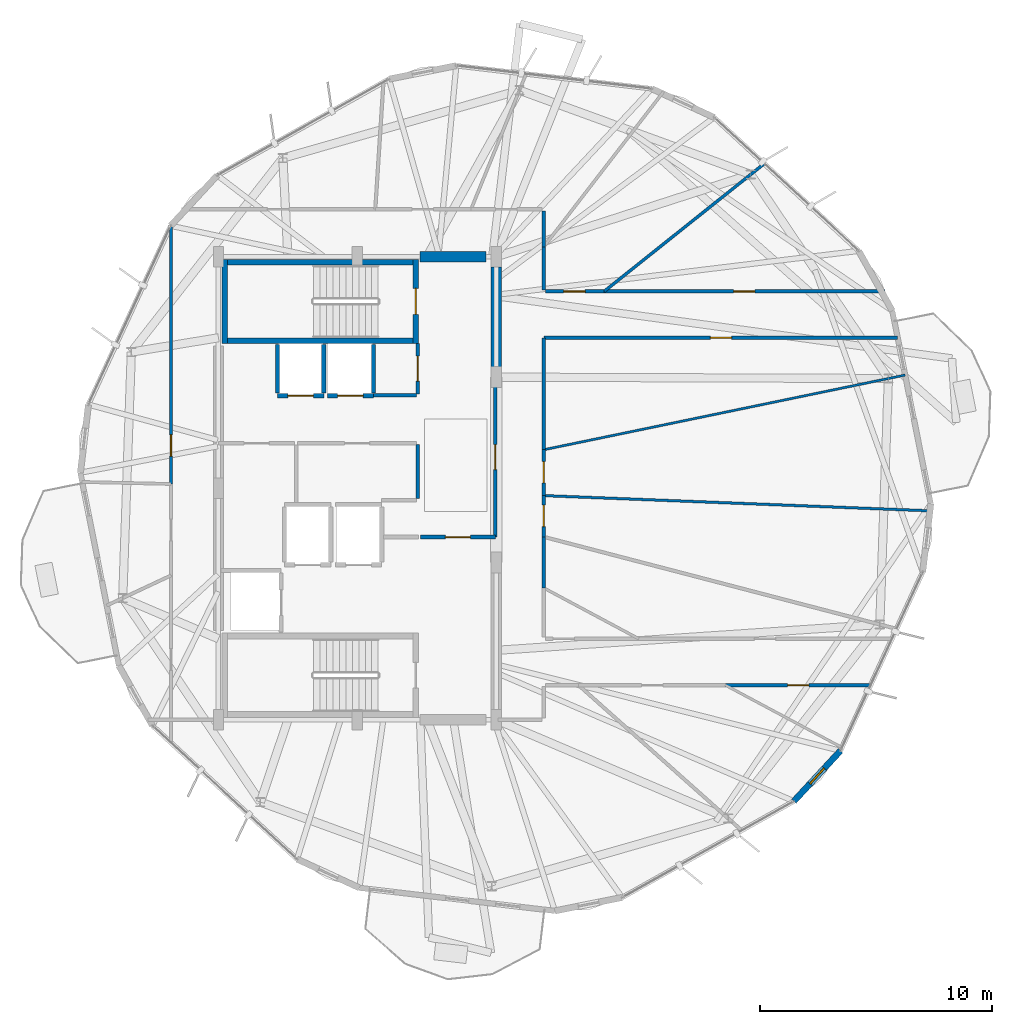
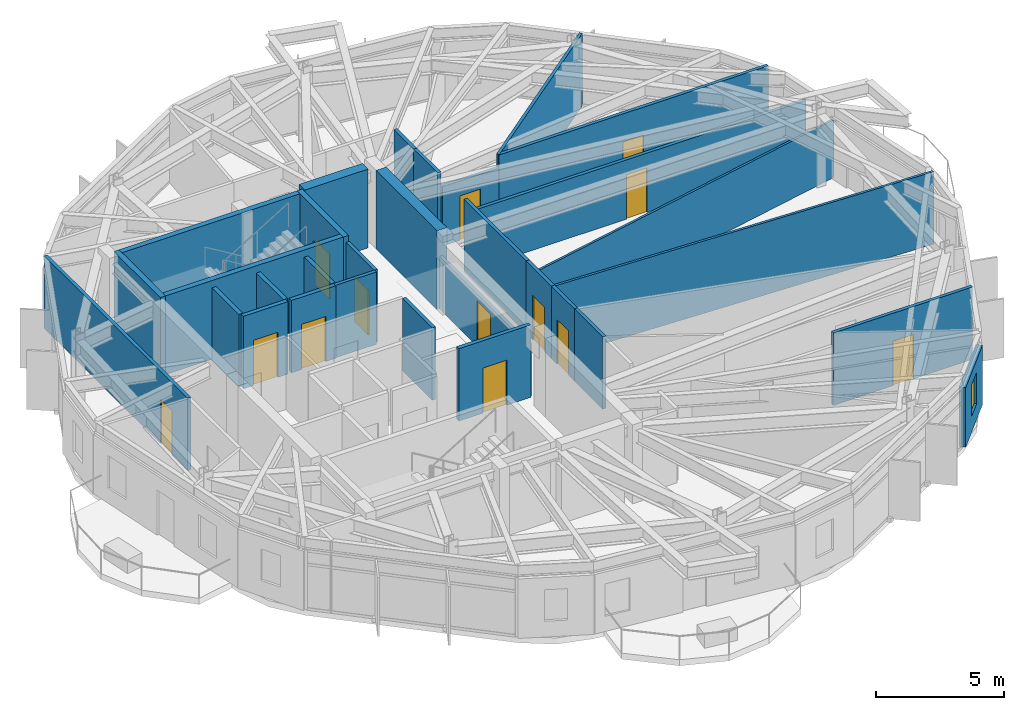
# One storey, part 21 of 25: 31 walls, 13 doors, 1 window, 14 openings.
"""IFC4 building model written with IfcOpenShell, lengths in metres."""

from ifc_helpers import new_model, si_unit, direction, frame, frame_2d, origin, place, context, subcontext, project, spatial, rectangle, extrude, material, layer, layer_set, type_object, element, fill, save


model = new_model("IFC4")

# Units and contexts
model_context = context("Model", 3, precision=1e-05, world=origin(), true_north=direction((0.0, 1.0)))
body_context = subcontext(model_context, "Body", "Model", "MODEL_VIEW")
ifc_project = project(units=[si_unit("LENGTHUNIT", "METRE"), si_unit("AREAUNIT", "SQUARE_METRE"), si_unit("VOLUMEUNIT", "CUBIC_METRE"), si_unit("PLANEANGLEUNIT", "RADIAN"), si_unit("MASSUNIT", "GRAM", prefix="KILO")], contexts=[model_context])

# Site, building, storey
site_placement = place(None, origin())
site = spatial("IfcSite", under=ifc_project, at=site_placement, CompositionType="ELEMENT")
building_placement = place(site_placement, origin())
building = spatial("IfcBuilding", under=site, at=building_placement, Name="Soratama Intermodal Tower", CompositionType="ELEMENT")
storey_placement = place(building_placement, frame((0.0, 0.0, 272.5)))
storey = spatial("IfcBuildingStorey", under=building, at=storey_placement, Name="L69", CompositionType="ELEMENT", Elevation=272.5)

# Wall, opening, window
ifc_material_1 = material(Name="Concrete f'c 42 MPa", Category="concrete")
ifc_layer_1 = layer(ifc_material_1, 0.27001953125)
ifc_layer_set_1 = layer_set([ifc_layer_1], Name="Concrete f'c 42 MPa")
wall_type_1 = type_object("IfcWallType", Name="EW-CRN-270", PredefinedType="SOLIDWALL", material=ifc_layer_set_1)
wall_1_placement = place(storey_placement, frame((57.45166015625, 11.48291015625, 0.0), z_axis=(0.0, 0.0, 1.0), x_axis=(0.678358713044, 0.734730873475, 0.0)))
wall_1 = element("IfcWall", 1, at=wall_1_placement, inside=storey, type_object=wall_type_1, Name="L69 Corner Closure Wall 07", PredefinedType="SOLIDWALL", context=body_context, shape_type="SweptSolid", body=[
    extrude(rectangle(XDim=2.966552734375, YDim=0.27001953125, at=frame_2d((1.4833984375, 0.0))), origin(), (0.0, 0.0, 1.0), 2.8291015625),
])
opening_1_placement = place(wall_1_placement, frame((1.033203125, 0.0, 0.75)))
opening_1 = element("IfcOpeningElement", 2, at=opening_1_placement, cuts=wall_1, Name="Opening WN-6", PredefinedType="OPENING", context=body_context, shape_type="SweptSolid", body=[
    extrude(rectangle(XDim=0.89990234375, YDim=1.5, at=frame_2d((0.449951171875, 0.75))), frame((0.0, 0.14501953125, 0.0), z_axis=(0.0, -1.0, 0.0), x_axis=(1.0, 0.0, 0.0)), (0.0, 0.0, 1.0), 0.2900390625),
])
ifc_material_2 = material(Name="Double-glazed aluminium window", Category="aluminium")
window_type = type_object("IfcWindowType", Name="WN-FAC-900", PartitioningType="SINGLE_PANEL", PredefinedType="WINDOW", material=ifc_material_2)
window_placement = place(opening_1_placement, origin())
window = element("IfcWindow", 3, at=window_placement, inside=storey, type_object=window_type, Name="L69 Corner Window 07", OverallHeight=1.5, OverallWidth=0.89990234375, PartitioningType="SINGLE_PANEL", PredefinedType="WINDOW", context=body_context, shape_type="SweptSolid", body=[
    extrude(rectangle(XDim=0.89990234375, YDim=1.5, at=frame_2d((0.449951171875, 0.75))), frame((0.0, 0.030029296875, 0.0), z_axis=(0.0, -1.0, 0.0), x_axis=(1.0, 0.0, 0.0)), (0.0, 0.0, 1.0), 0.06005859375),
])
fill(opening_1, window)

# Wall, opening, door
ifc_material_3 = material(Name="Fire-rated gypsum stud partition", Category="concrete")
ifc_layer_2 = layer(ifc_material_3, 0.14990234375)
ifc_layer_set_2 = layer_set([ifc_layer_2], Name="Fire-rated gypsum stud partition")
wall_type_2 = type_object("IfcWallType", Name="IW-PART-R150", PredefinedType="PARTITIONING", material=ifc_layer_set_2)
wall_2_placement = place(storey_placement, frame((61.93603515625, 31.5, 0.0), z_axis=(0.0, 0.0, 1.0), x_axis=(-1.0, 0.0, 0.0)))
wall_2 = element("IfcWall", 4, at=wall_2_placement, inside=storey, type_object=wall_type_2, Name="L69 Partition W-L69-TP004", PredefinedType="PARTITIONING", context=body_context, shape_type="SweptSolid", body=[
    extrude(rectangle(XDim=15.2861328125, YDim=0.14990234375, at=frame_2d((7.64306640625, 0.0))), origin(), (0.0, 0.0, 1.0), 2.823974609375),
])
opening_2_placement = place(wall_2_placement, frame((7.16796875, 0.0, 0.0)))
opening_2 = element("IfcOpeningElement", 5, at=opening_2_placement, cuts=wall_2, Name="Opening ID-6", PredefinedType="OPENING", context=body_context, shape_type="SweptSolid", body=[
    extrude(rectangle(XDim=0.919921875, YDim=2.1201171875, at=frame_2d((0.4599609375, 1.06005859375))), frame((0.0, 0.0849609375, 0.0), z_axis=(0.0, -1.0, 0.0), x_axis=(1.0, 0.0, 0.0)), (0.0, 0.0, 1.0), 0.169921875),
])
ifc_material_4 = material(Name="Solid hardwood acoustic door", Category="wood")
door_type_1 = type_object("IfcDoorType", Name="DR-ROOM-920", OperationType="NOTDEFINED", PredefinedType="DOOR", material=ifc_material_4)
door_1_placement = place(opening_2_placement, origin())
door_1 = element("IfcDoor", 6, at=door_1_placement, inside=storey, type_object=door_type_1, Name="L69 Door D-L69-TP001", OperationType="SINGLE_SWING_RIGHT", OverallHeight=2.1201171875, OverallWidth=0.919921875, PredefinedType="DOOR", context=body_context, shape_type="SweptSolid", body=[
    extrude(rectangle(XDim=0.919921875, YDim=2.1201171875, at=frame_2d((0.4599609375, 1.06005859375))), frame((0.0, 0.02490234375, 0.0), z_axis=(0.0, -1.0, 0.0), x_axis=(1.0, 0.0, 0.0)), (0.0, 0.0, 1.0), 0.050048828125),
])
fill(opening_2, door_1)

wall_3_placement = place(storey_placement, frame((49.25390625, 33.5, 0.0), z_axis=(0.0, 0.0, 1.0), x_axis=(1.0, 0.0, 0.0)))
wall_3 = element("IfcWall", 7, at=wall_3_placement, inside=storey, type_object=wall_type_2, Name="L69 Partition W-L69-TP005", PredefinedType="PARTITIONING", context=body_context, shape_type="SweptSolid", body=[
    extrude(rectangle(XDim=12.14111328125, YDim=0.14990234375, at=frame_2d((6.070556640625, 0.0))), origin(), (0.0, 0.0, 1.0), 3.449951171875),
])
opening_3_placement = place(wall_3_placement, frame((5.595947265625, 0.0, 0.0)))
opening_3 = element("IfcOpeningElement", 8, at=opening_3_placement, cuts=wall_3, Name="Opening ID-6", PredefinedType="OPENING", context=body_context, shape_type="SweptSolid", body=[
    extrude(rectangle(XDim=0.919921875, YDim=2.1201171875, at=frame_2d((0.4599609375, 1.06005859375))), frame((0.0, 0.0849609375, 0.0), z_axis=(0.0, -1.0, 0.0), x_axis=(1.0, 0.0, 0.0)), (0.0, 0.0, 1.0), 0.169921875),
])
door_2_placement = place(opening_3_placement, origin())
door_2 = element("IfcDoor", 9, at=door_2_placement, inside=storey, type_object=door_type_1, Name="L69 Door D-L69-TP002", OperationType="SINGLE_SWING_LEFT", OverallHeight=2.1201171875, OverallWidth=0.919921875, PredefinedType="DOOR", context=body_context, shape_type="SweptSolid", body=[
    extrude(rectangle(XDim=0.919921875, YDim=2.1201171875, at=frame_2d((0.4599609375, 1.06005859375))), frame((0.0, 0.02490234375, 0.0), z_axis=(0.0, -1.0, 0.0), x_axis=(1.0, 0.0, 0.0)), (0.0, 0.0, 1.0), 0.050048828125),
])
fill(opening_3, door_2)

wall_4_placement = place(storey_placement, frame((30.550048828125, 25.18505859375, 0.0), z_axis=(0.0, 0.0, 1.0), x_axis=(0.0, 1.0, 0.0)))
wall_4 = element("IfcWall", 10, at=wall_4_placement, inside=storey, type_object=wall_type_2, Name="L69 Partition W-L69-TP006", PredefinedType="PARTITIONING", context=body_context, shape_type="SweptSolid", body=[
    extrude(rectangle(XDim=11.173828125, YDim=0.14990234375, at=frame_2d((5.5869140625, 0.0))), origin(), (0.0, 0.0, 1.0), 3.449951171875),
])
opening_4_placement = place(wall_4_placement, frame((1.200927734375, 0.0, 0.0)))
opening_4 = element("IfcOpeningElement", 11, at=opening_4_placement, cuts=wall_4, Name="Opening ID-6", PredefinedType="OPENING", context=body_context, shape_type="SweptSolid", body=[
    extrude(rectangle(XDim=0.919921875, YDim=2.1201171875, at=frame_2d((0.4599609375, 1.06005859375))), frame((0.0, 0.0849609375, 0.0), z_axis=(0.0, -1.0, 0.0), x_axis=(1.0, 0.0, 0.0)), (0.0, 0.0, 1.0), 0.169921875),
])
door_3_placement = place(opening_4_placement, origin())
door_3 = element("IfcDoor", 12, at=door_3_placement, inside=storey, type_object=door_type_1, Name="L69 Door D-L69-TP003", OperationType="SINGLE_SWING_RIGHT", OverallHeight=2.1201171875, OverallWidth=0.919921875, PredefinedType="DOOR", context=body_context, shape_type="SweptSolid", body=[
    extrude(rectangle(XDim=0.919921875, YDim=2.1201171875, at=frame_2d((0.4599609375, 1.06005859375))), frame((0.0, 0.02490234375, 0.0), z_axis=(0.0, -1.0, 0.0), x_axis=(1.0, 0.0, 0.0)), (0.0, 0.0, 1.0), 0.050048828125),
])
fill(opening_4, door_3)

wall_5_placement = place(storey_placement, frame((44.56005859375, 29.800048828125, 0.0), z_axis=(0.0, 0.0, 1.0), x_axis=(0.0, -1.0, 0.0)))
wall_5 = element("IfcWall", 13, at=wall_5_placement, inside=storey, type_object=wall_type_2, Name="L69 Partition W-L69-TP013", PredefinedType="PARTITIONING", context=body_context, shape_type="SweptSolid", body=[
    extrude(rectangle(XDim=6.91015625, YDim=0.14990234375, at=frame_2d((3.455078125, 0.0))), origin(), (0.0, 0.0, 1.0), 2.489990234375),
])
opening_5_placement = place(wall_5_placement, frame((2.9150390625, 0.0, 0.0)))
opening_5 = element("IfcOpeningElement", 14, at=opening_5_placement, cuts=wall_5, Name="Opening ID-1", PredefinedType="OPENING", context=body_context, shape_type="SweptSolid", body=[
    extrude(rectangle(XDim=1.080078125, YDim=2.14990234375, at=frame_2d((0.5400390625, 1.074951171875))), frame((0.0, 0.0849609375, 0.0), z_axis=(0.0, -1.0, 0.0), x_axis=(1.0, 0.0, 0.0)), (0.0, 0.0, 1.0), 0.169921875),
])
ifc_material_5 = material(Name="Solid hardwood acoustic door", Category="wood")
door_type_2 = type_object("IfcDoorType", Name="DR-LOB-FD60", OperationType="NOTDEFINED", PredefinedType="DOOR", material=ifc_material_5)
door_4_placement = place(opening_5_placement, origin())
door_4 = element("IfcDoor", 15, at=door_4_placement, inside=storey, type_object=door_type_2, Name="L69 Door D-L69-TP007", OperationType="SINGLE_SWING_RIGHT", OverallHeight=2.14990234375, OverallWidth=1.080078125, PredefinedType="DOOR", context=body_context, shape_type="SweptSolid", body=[
    extrude(rectangle(XDim=1.080078125, YDim=2.14990234375, at=frame_2d((0.5400390625, 1.074951171875))), frame((0.0, 0.02490234375, 0.0), z_axis=(0.0, -1.0, 0.0), x_axis=(1.0, 0.0, 0.0)), (0.0, 0.0, 1.0), 0.050048828125),
])
fill(opening_5, door_4)

wall_6_placement = place(storey_placement, frame((60.77001953125, 16.5, 0.0), z_axis=(0.0, 0.0, 1.0), x_axis=(-1.0, 0.0, 0.0)))
wall_6 = element("IfcWall", 16, at=wall_6_placement, inside=storey, type_object=wall_type_2, Name="L69 Partition W-L69-TP016", PredefinedType="PARTITIONING", context=body_context, shape_type="SweptSolid", body=[
    extrude(rectangle(XDim=6.281005859375, YDim=0.14990234375, at=frame_2d((3.140625, 0.0))), origin(), (0.0, 0.0, 1.0), 3.449951171875),
])
opening_6_placement = place(wall_6_placement, frame((2.666015625, 0.0, 0.0)))
opening_6 = element("IfcOpeningElement", 17, at=opening_6_placement, cuts=wall_6, Name="Opening ID-6", PredefinedType="OPENING", context=body_context, shape_type="SweptSolid", body=[
    extrude(rectangle(XDim=0.919921875, YDim=2.1201171875, at=frame_2d((0.4599609375, 1.06005859375))), frame((0.0, 0.0849609375, 0.0), z_axis=(0.0, -1.0, 0.0), x_axis=(1.0, 0.0, 0.0)), (0.0, 0.0, 1.0), 0.169921875),
])
door_5_placement = place(opening_6_placement, origin())
door_5 = element("IfcDoor", 18, at=door_5_placement, inside=storey, type_object=door_type_1, Name="L69 Door D-L69-TP009", OperationType="SINGLE_SWING_RIGHT", OverallHeight=2.1201171875, OverallWidth=0.919921875, PredefinedType="DOOR", context=body_context, shape_type="SweptSolid", body=[
    extrude(rectangle(XDim=0.919921875, YDim=2.1201171875, at=frame_2d((0.4599609375, 1.06005859375))), frame((0.0, 0.02490234375, 0.0), z_axis=(0.0, -1.0, 0.0), x_axis=(1.0, 0.0, 0.0)), (0.0, 0.0, 1.0), 0.050048828125),
])
fill(opening_6, door_5)

# Wall
wall_7_placement = place(storey_placement, frame((46.64990234375, 31.5, 0.0), z_axis=(0.0, 0.0, 1.0), x_axis=(0.0, -1.0, 0.0)))
element("IfcWall", 19, at=wall_7_placement, inside=storey, type_object=wall_type_2, Name="L69 Partition W-L69-TP020", PredefinedType="PARTITIONING", context=body_context, shape_type="SweptSolid", body=[
    extrude(rectangle(XDim=4.8359375, YDim=0.14990234375, at=frame_2d((2.41796875, 0.0))), origin(), (0.0, 0.0, 1.0), 3.449951171875),
])

# Wall, opening, door
wall_8_placement = place(storey_placement, frame((46.719970703125, 33.5, 0.0), z_axis=(0.0, 0.0, 1.0), x_axis=(1.0, 0.0, 0.0)))
wall_8 = element("IfcWall", 20, at=wall_8_placement, inside=storey, type_object=wall_type_2, Name="L69 Partition W-L69-TP032", PredefinedType="PARTITIONING", context=body_context, shape_type="SweptSolid", body=[
    extrude(rectangle(XDim=2.533935546875, YDim=0.14990234375, at=frame_2d((1.26708984375, 0.0))), origin(), (0.0, 0.0, 1.0), 2.827880859375),
])
opening_7_placement = place(wall_8_placement, frame((0.7919921875, 0.0, 0.0)))
opening_7 = element("IfcOpeningElement", 21, at=opening_7_placement, cuts=wall_8, Name="Opening ID-6", PredefinedType="OPENING", context=body_context, shape_type="SweptSolid", body=[
    extrude(rectangle(XDim=0.919921875, YDim=2.1201171875, at=frame_2d((0.4599609375, 1.06005859375))), frame((0.0, 0.0849609375, 0.0), z_axis=(0.0, -1.0, 0.0), x_axis=(1.0, 0.0, 0.0)), (0.0, 0.0, 1.0), 0.169921875),
])
door_6_placement = place(opening_7_placement, origin())
door_6 = element("IfcDoor", 22, at=door_6_placement, inside=storey, type_object=door_type_1, Name="L69 Door D-L69-TP017", OperationType="SINGLE_SWING_RIGHT", OverallHeight=2.1201171875, OverallWidth=0.919921875, PredefinedType="DOOR", context=body_context, shape_type="SweptSolid", body=[
    extrude(rectangle(XDim=0.919921875, YDim=2.1201171875, at=frame_2d((0.4599609375, 1.06005859375))), frame((0.0, 0.02490234375, 0.0), z_axis=(0.0, -1.0, 0.0), x_axis=(1.0, 0.0, 0.0)), (0.0, 0.0, 1.0), 0.050048828125),
])
fill(opening_7, door_6)

# Walls
wall_9_placement = place(storey_placement, frame((41.199951171875, 24.550048828125, 0.0), z_axis=(0.0, 0.0, 1.0), x_axis=(0.0, 1.0, 0.0)))
element("IfcWall", 23, at=wall_9_placement, inside=storey, type_object=wall_type_2, Name="L69 Partition W-L69-TP033", PredefinedType="PARTITIONING", context=body_context, shape_type="SweptSolid", body=[
    extrude(rectangle(XDim=2.329833984375, YDim=0.14990234375, at=frame_2d((1.1650390625, 0.0))), origin(), (0.0, 0.0, 1.0), 3.449951171875),
])
wall_10_placement = place(storey_placement, frame((46.64990234375, 22.90087890625, 0.0), z_axis=(0.0, 0.0, 1.0), x_axis=(0.0, -1.0, 0.0)))
element("IfcWall", 24, at=wall_10_placement, inside=storey, type_object=wall_type_2, Name="L69 Partition W-L69-TP034", PredefinedType="PARTITIONING", context=body_context, shape_type="SweptSolid", body=[
    extrude(rectangle(XDim=2.206787109375, YDim=0.14990234375, at=frame_2d((1.103515625, 0.0))), origin(), (0.0, 0.0, 1.0), 3.449951171875),
])

# Wall, opening, door
wall_11_placement = place(storey_placement, frame((41.199951171875, 29.070068359375, 0.0), z_axis=(0.0, 0.0, 1.0), x_axis=(0.0, 1.0, 0.0)))
wall_11 = element("IfcWall", 25, at=wall_11_placement, inside=storey, type_object=wall_type_2, Name="L69 Partition W-L69-TP035", PredefinedType="PARTITIONING", context=body_context, shape_type="SweptSolid", body=[
    extrude(rectangle(XDim=2.18994140625, YDim=0.14990234375, at=frame_2d((1.094970703125, 0.0))), origin(), (0.0, 0.0, 1.0), 3.449951171875),
])
opening_8_placement = place(wall_11_placement, frame((0.554931640625, 0.0, 0.0)))
opening_8 = element("IfcOpeningElement", 26, at=opening_8_placement, cuts=wall_11, Name="Opening ID-1", PredefinedType="OPENING", context=body_context, shape_type="SweptSolid", body=[
    extrude(rectangle(XDim=1.080078125, YDim=2.14990234375, at=frame_2d((0.5400390625, 1.074951171875))), frame((0.0, 0.0849609375, 0.0), z_axis=(0.0, -1.0, 0.0), x_axis=(1.0, 0.0, 0.0)), (0.0, 0.0, 1.0), 0.169921875),
])
door_7_placement = place(opening_8_placement, origin())
door_7 = element("IfcDoor", 27, at=door_7_placement, inside=storey, type_object=door_type_2, Name="L69 Door D-L69-TP018", OperationType="SINGLE_SWING_LEFT", OverallHeight=2.14990234375, OverallWidth=1.080078125, PredefinedType="DOOR", context=body_context, shape_type="SweptSolid", body=[
    extrude(rectangle(XDim=1.080078125, YDim=2.14990234375, at=frame_2d((0.5400390625, 1.074951171875))), frame((0.0, 0.02490234375, 0.0), z_axis=(0.0, -1.0, 0.0), x_axis=(1.0, 0.0, 0.0)), (0.0, 0.0, 1.0), 0.050048828125),
])
fill(opening_8, door_7)

wall_12_placement = place(storey_placement, frame((46.64990234375, 26.6640625, 0.0), z_axis=(0.0, 0.0, 1.0), x_axis=(0.0, -1.0, 0.0)))
wall_12 = element("IfcWall", 28, at=wall_12_placement, inside=storey, type_object=wall_type_2, Name="L69 Partition W-L69-TP037", PredefinedType="PARTITIONING", context=body_context, shape_type="SweptSolid", body=[
    extrude(rectangle(XDim=1.98095703125, YDim=0.14990234375, at=frame_2d((0.990478515625, 0.0))), origin(), (0.0, 0.0, 1.0), 3.449951171875),
])
opening_9_placement = place(wall_12_placement, frame((0.51611328125, 0.0, 0.0)))
opening_9 = element("IfcOpeningElement", 29, at=opening_9_placement, cuts=wall_12, Name="Opening ID-6", PredefinedType="OPENING", context=body_context, shape_type="SweptSolid", body=[
    extrude(rectangle(XDim=0.919921875, YDim=2.1201171875, at=frame_2d((0.4599609375, 1.06005859375))), frame((0.0, 0.0849609375, 0.0), z_axis=(0.0, -1.0, 0.0), x_axis=(1.0, 0.0, 0.0)), (0.0, 0.0, 1.0), 0.169921875),
])
door_8_placement = place(opening_9_placement, origin())
door_8 = element("IfcDoor", 30, at=door_8_placement, inside=storey, type_object=door_type_1, Name="L69 Door D-L69-TP019", OperationType="SINGLE_SWING_RIGHT", OverallHeight=2.1201171875, OverallWidth=0.919921875, PredefinedType="DOOR", context=body_context, shape_type="SweptSolid", body=[
    extrude(rectangle(XDim=0.919921875, YDim=2.1201171875, at=frame_2d((0.4599609375, 1.06005859375))), frame((0.0, 0.02490234375, 0.0), z_axis=(0.0, -1.0, 0.0), x_axis=(1.0, 0.0, 0.0)), (0.0, 0.0, 1.0), 0.050048828125),
])
fill(opening_9, door_8)

# Walls
wall_13_placement = place(storey_placement, frame((39.300048828125, 29.010009765625, 0.0), z_axis=(0.0, 0.0, 1.0), x_axis=(1.0, 0.0, 0.0)))
element("IfcWall", 31, at=wall_13_placement, inside=storey, type_object=wall_type_2, Name="L69 Partition W-L69-TP039", PredefinedType="PARTITIONING", context=body_context, shape_type="SweptSolid", body=[
    extrude(rectangle(XDim=1.85986328125, YDim=0.14990234375, at=frame_2d((0.929931640625, 0.0))), origin(), (0.0, 0.0, 1.0), 3.449951171875),
])
wall_14_placement = place(storey_placement, frame((46.64990234375, 35.428955078125, 0.0), z_axis=(0.0, 0.0, 1.0), x_axis=(0.0, -1.0, 0.0)))
element("IfcWall", 32, at=wall_14_placement, inside=storey, type_object=wall_type_2, Name="L69 Partition W-L69-TP040", PredefinedType="PARTITIONING", context=body_context, shape_type="SweptSolid", body=[
    extrude(rectangle(XDim=1.85888671875, YDim=0.14990234375, at=frame_2d((0.929443359375, 0.0))), origin(), (0.0, 0.0, 1.0), 3.449951171875),
])

# Wall, opening, door
wall_15_placement = place(storey_placement, frame((46.64990234375, 24.68310546875, 0.0), z_axis=(0.0, 0.0, 1.0), x_axis=(0.0, -1.0, 0.0)))
wall_15 = element("IfcWall", 33, at=wall_15_placement, inside=storey, type_object=wall_type_2, Name="L69 Partition W-L69-TP041", PredefinedType="PARTITIONING", context=body_context, shape_type="SweptSolid", body=[
    extrude(rectangle(XDim=1.7822265625, YDim=0.14990234375, at=frame_2d((0.89111328125, 0.0))), origin(), (0.0, 0.0, 1.0), 3.449951171875),
])
opening_10_placement = place(wall_15_placement, frame((0.416015625, 0.0, 0.0)))
opening_10 = element("IfcOpeningElement", 34, at=opening_10_placement, cuts=wall_15, Name="Opening ID-6", PredefinedType="OPENING", context=body_context, shape_type="SweptSolid", body=[
    extrude(rectangle(XDim=0.919921875, YDim=2.1201171875, at=frame_2d((0.4599609375, 1.06005859375))), frame((0.0, 0.0849609375, 0.0), z_axis=(0.0, -1.0, 0.0), x_axis=(1.0, 0.0, 0.0)), (0.0, 0.0, 1.0), 0.169921875),
])
door_9_placement = place(opening_10_placement, origin())
door_9 = element("IfcDoor", 35, at=door_9_placement, inside=storey, type_object=door_type_1, Name="L69 Door D-L69-TP020", OperationType="SINGLE_SWING_LEFT", OverallHeight=2.1201171875, OverallWidth=0.919921875, PredefinedType="DOOR", context=body_context, shape_type="SweptSolid", body=[
    extrude(rectangle(XDim=0.919921875, YDim=2.1201171875, at=frame_2d((0.4599609375, 1.06005859375))), frame((0.0, 0.02490234375, 0.0), z_axis=(0.0, -1.0, 0.0), x_axis=(1.0, 0.0, 0.0)), (0.0, 0.0, 1.0), 0.050048828125),
])
fill(opening_10, door_9)

# Wall
wall_16_placement = place(storey_placement, frame((46.64990234375, 36.97998046875, 0.0), z_axis=(0.0, 0.0, 1.0), x_axis=(0.0, -1.0, 0.0)))
element("IfcWall", 36, at=wall_16_placement, inside=storey, type_object=wall_type_2, Name="L69 Partition W-L69-TP042", PredefinedType="PARTITIONING", context=body_context, shape_type="SweptSolid", body=[
    extrude(rectangle(XDim=1.551025390625, YDim=0.14990234375, at=frame_2d((0.775390625, 0.0))), origin(), (0.0, 0.0, 1.0), 3.449951171875),
])

# Wall, opening, door
ifc_material_6 = material(Name="Fire-rated gypsum stud partition", Category="concrete")
ifc_layer_3 = layer(ifc_material_6, 0.169921875)
ifc_layer_set_3 = layer_set([ifc_layer_3], Name="Fire-rated gypsum stud partition")
wall_type_3 = type_object("IfcWallType", Name="IW-PART-R170", PredefinedType="PARTITIONING", material=ifc_layer_set_3)
wall_17_placement = place(storey_placement, frame((41.320068359375, 22.889892578125, 0.0), z_axis=(0.0, 0.0, 1.0), x_axis=(1.0, 0.0, 0.0)))
wall_17 = element("IfcWall", 37, at=wall_17_placement, inside=storey, type_object=wall_type_3, Name="L69 Partition W-L69-TP027", PredefinedType="PARTITIONING", context=body_context, shape_type="SweptSolid", body=[
    extrude(rectangle(XDim=3.239990234375, YDim=0.169921875, at=frame_2d((1.6201171875, 0.0))), origin(), (0.0, 0.0, 1.0), 3.449951171875),
])
opening_11_placement = place(wall_17_placement, frame((1.080078125, 0.0, 0.0)))
opening_11 = element("IfcOpeningElement", 38, at=opening_11_placement, cuts=wall_17, Name="Opening ID-0", PredefinedType="OPENING", context=body_context, shape_type="SweptSolid", body=[
    extrude(rectangle(XDim=1.080078125, YDim=2.14990234375, at=frame_2d((0.5400390625, 1.074951171875))), frame((0.0, 0.094970703125, 0.0), z_axis=(0.0, -1.0, 0.0), x_axis=(1.0, 0.0, 0.0)), (0.0, 0.0, 1.0), 0.18994140625),
])
ifc_material_7 = material(Name="Solid hardwood acoustic door", Category="wood")
door_type_3 = type_object("IfcDoorType", Name="DR-LOB-FD90", OperationType="NOTDEFINED", PredefinedType="DOOR", material=ifc_material_7)
door_10_placement = place(opening_11_placement, origin())
door_10 = element("IfcDoor", 39, at=door_10_placement, inside=storey, type_object=door_type_3, Name="L69 Door D-L69-TP015", OperationType="SINGLE_SWING_RIGHT", OverallHeight=2.14990234375, OverallWidth=1.080078125, PredefinedType="DOOR", context=body_context, shape_type="SweptSolid", body=[
    extrude(rectangle(XDim=1.080078125, YDim=2.14990234375, at=frame_2d((0.5400390625, 1.074951171875))), frame((0.0, 0.02490234375, 0.0), z_axis=(0.0, -1.0, 0.0), x_axis=(1.0, 0.0, 0.0)), (0.0, 0.0, 1.0), 0.050048828125),
])
fill(opening_11, door_10)

# Walls
ifc_material_8 = material(Name="Fire-rated gypsum stud partition", Category="concrete")
ifc_layer_4 = layer(ifc_material_8, 0.10009765625)
ifc_layer_set_4 = layer_set([ifc_layer_4], Name="Fire-rated gypsum stud partition")
wall_type_4 = type_object("IfcWallType", Name="IW-PART-S100", PredefinedType="PARTITIONING", material=ifc_layer_set_4)
wall_18_placement = place(storey_placement, frame((46.64990234375, 26.6640625, 0.0), z_axis=(0.0, 0.0, 1.0), x_axis=(0.979285564853, 0.202484030163, 0.0)))
element("IfcWall", 40, at=wall_18_placement, inside=storey, type_object=wall_type_4, Name="L69 Partition W-L69-TP002", PredefinedType="PARTITIONING", context=body_context, shape_type="SweptSolid", body=[
    extrude(rectangle(XDim=15.937255859375, YDim=0.10009765625, at=frame_2d((7.96875, 0.0))), origin(), (0.0, 0.0, 1.0), 2.7451171875),
])
ifc_material_9 = material(Name="Fire-rated gypsum stud partition", Category="concrete")
ifc_layer_5 = layer(ifc_material_9, 0.110107421875)
ifc_layer_set_5 = layer_set([ifc_layer_5], Name="Fire-rated gypsum stud partition")
wall_type_5 = type_object("IfcWallType", Name="IW-PART-S110", PredefinedType="PARTITIONING", material=ifc_layer_set_5)
wall_19_placement = place(storey_placement, frame((63.3779296875, 24.02392578125, 0.0), z_axis=(0.0, 0.0, 1.0), x_axis=(-0.999224498299, 0.039375144421, 0.0)))
element("IfcWall", 41, at=wall_19_placement, inside=storey, type_object=wall_type_5, Name="L69 Partition W-L69-TP001", PredefinedType="PARTITIONING", context=body_context, shape_type="SweptSolid", body=[
    extrude(rectangle(XDim=16.740966796875, YDim=0.110107421875, at=frame_2d((8.37060546875, 0.0))), origin(), (0.0, 0.0, 1.0), 3.449951171875),
])
ifc_material_10 = material(Name="Fire-rated gypsum stud partition", Category="concrete")
ifc_layer_6 = layer(ifc_material_10, 0.1298828125)
ifc_layer_set_6 = layer_set([ifc_layer_6], Name="Fire-rated gypsum stud partition")
wall_type_6 = type_object("IfcWallType", Name="IW-PART-S130", PredefinedType="PARTITIONING", material=ifc_layer_set_6)
wall_20_placement = place(storey_placement, frame((49.25390625, 33.5, 0.0), z_axis=(0.0, 0.0, 1.0), x_axis=(0.78171305869, 0.623638271655, 0.0)))
element("IfcWall", 42, at=wall_20_placement, inside=storey, type_object=wall_type_6, Name="L69 Partition W-L69-TP009", PredefinedType="PARTITIONING", context=body_context, shape_type="SweptSolid", body=[
    extrude(rectangle(XDim=8.851318359375, YDim=0.1298828125, at=frame_2d((4.42578125, 0.0))), origin(), (0.0, 0.0, 1.0), 3.449951171875),
])

# Wall, opening, door
ifc_material_11 = material(Name="Concrete f'c 42 MPa", Category="concrete")
ifc_layer_7 = layer(ifc_material_11, 0.18505859375)
ifc_layer_set_7 = layer_set([ifc_layer_7], Name="Concrete f'c 42 MPa")
wall_type_7 = type_object("IfcWallType", Name="IW-SHAFT-185", PredefinedType="SOLIDWALL", material=ifc_layer_set_7)
wall_21_placement = place(storey_placement, frame((35.14990234375, 29.0, 0.0), z_axis=(0.0, 0.0, 1.0), x_axis=(1.0, 0.0, 0.0)))
wall_21 = element("IfcWall", 43, at=wall_21_placement, inside=storey, type_object=wall_type_7, Name="L69 PL-H1 Hoistway Wall S", PredefinedType="SOLIDWALL", context=body_context, shape_type="SweptSolid", body=[
    extrude(rectangle(XDim=2.0, YDim=0.18505859375, at=frame_2d((1.0, 0.0))), origin(), (0.0, 0.0, 1.0), 3.449951171875),
])
opening_12_placement = place(wall_21_placement, frame((0.449951171875, 0.0, 0.0)))
opening_12 = element("IfcOpeningElement", 44, at=opening_12_placement, cuts=wall_21, Name="Opening LD-1", PredefinedType="OPENING", context=body_context, shape_type="SweptSolid", body=[
    extrude(rectangle(XDim=1.10009765625, YDim=2.14990234375, at=frame_2d((0.550048828125, 1.074951171875))), frame((0.0, 0.1025390625, 0.0), z_axis=(0.0, -1.0, 0.0), x_axis=(1.0, 0.0, 0.0)), (0.0, 0.0, 1.0), 0.205078125),
])
ifc_material_12 = material(Name="Steel fire door", Category="steel")
door_type_4 = type_object("IfcDoorType", Name="DR-LIFT-SLIDE", OperationType="NOTDEFINED", PredefinedType="DOOR", material=ifc_material_12)
door_11_placement = place(opening_12_placement, origin())
door_11 = element("IfcDoor", 45, at=door_11_placement, inside=storey, type_object=door_type_4, Name="L69 PL-H1 Sliding Landing Door", OperationType="SLIDING_TO_LEFT", OverallHeight=2.14990234375, OverallWidth=1.10009765625, PredefinedType="DOOR", context=body_context, shape_type="SweptSolid", body=[
    extrude(rectangle(XDim=1.10009765625, YDim=2.14990234375, at=frame_2d((0.550048828125, 1.074951171875))), frame((0.0, 0.02490234375, 0.0), z_axis=(0.0, -1.0, 0.0), x_axis=(1.0, 0.0, 0.0)), (0.0, 0.0, 1.0), 0.050048828125),
])
fill(opening_12, door_11)

# Walls
for number, where, z_axis, x_axis, name in (
    (46, (35.14990234375, 29.110107421875, 0.0), (0.0, 0.0, 1.0), (0.0, 1.0, 0.0), "L69 PL-H1 Hoistway Wall W"),
    (47, (37.14990234375, 29.110107421875, 0.0), (0.0, 0.0, 1.0), (0.0, 1.0, 0.0), "L69 PL-H1 Hoistway Wall E"),
):
    element("IfcWall", number, at=place(storey_placement, frame(where, z_axis=z_axis, x_axis=x_axis)), inside=storey, type_object=wall_type_7, Name=name, PredefinedType="SOLIDWALL", context=body_context, shape_type="SweptSolid", body=[
        extrude(rectangle(XDim=2.099853515625, YDim=0.18505859375, at=frame_2d((1.0498046875, 0.0))), origin(), (0.0, 0.0, 1.0), 3.449951171875),
    ])

# Wall, opening, door
wall_22_placement = place(storey_placement, frame((37.300048828125, 29.0, 0.0), z_axis=(0.0, 0.0, 1.0), x_axis=(1.0, 0.0, 0.0)))
wall_22 = element("IfcWall", 48, at=wall_22_placement, inside=storey, type_object=wall_type_7, Name="L69 PL-H2 Hoistway Wall S", PredefinedType="SOLIDWALL", context=body_context, shape_type="SweptSolid", body=[
    extrude(rectangle(XDim=2.0, YDim=0.18505859375, at=frame_2d((1.0, 0.0))), origin(), (0.0, 0.0, 1.0), 3.449951171875),
])
opening_13_placement = place(wall_22_placement, frame((0.449951171875, 0.0, 0.0)))
opening_13 = element("IfcOpeningElement", 49, at=opening_13_placement, cuts=wall_22, Name="Opening LD-1", PredefinedType="OPENING", context=body_context, shape_type="SweptSolid", body=[
    extrude(rectangle(XDim=1.10009765625, YDim=2.14990234375, at=frame_2d((0.550048828125, 1.074951171875))), frame((0.0, 0.1025390625, 0.0), z_axis=(0.0, -1.0, 0.0), x_axis=(1.0, 0.0, 0.0)), (0.0, 0.0, 1.0), 0.205078125),
])
door_12_placement = place(opening_13_placement, origin())
door_12 = element("IfcDoor", 50, at=door_12_placement, inside=storey, type_object=door_type_4, Name="L69 PL-H2 Sliding Landing Door", OperationType="SLIDING_TO_LEFT", OverallHeight=2.14990234375, OverallWidth=1.10009765625, PredefinedType="DOOR", context=body_context, shape_type="SweptSolid", body=[
    extrude(rectangle(XDim=1.10009765625, YDim=2.14990234375, at=frame_2d((0.550048828125, 1.074951171875))), frame((0.0, 0.02490234375, 0.0), z_axis=(0.0, -1.0, 0.0), x_axis=(1.0, 0.0, 0.0)), (0.0, 0.0, 1.0), 0.050048828125),
])
fill(opening_13, door_12)

# Walls
wall_23_placement = place(storey_placement, frame((39.300048828125, 29.110107421875, 0.0), z_axis=(0.0, 0.0, 1.0), x_axis=(0.0, 1.0, 0.0)))
element("IfcWall", 51, at=wall_23_placement, inside=storey, type_object=wall_type_7, Name="L69 PL-H2 Hoistway Wall E", PredefinedType="SOLIDWALL", context=body_context, shape_type="SweptSolid", body=[
    extrude(rectangle(XDim=2.099853515625, YDim=0.18505859375, at=frame_2d((1.0498046875, 0.0))), origin(), (0.0, 0.0, 1.0), 3.449951171875),
])
ifc_material_13 = material(Name="Concrete f'c 56 MPa", Category="concrete")
ifc_layer_8 = layer(ifc_material_13, 0.449951171875)
ifc_layer_set_8 = layer_set([ifc_layer_8], Name="Concrete f'c 56 MPa")
wall_type_8 = type_object("IfcWallType", Name="SW-CORE-450", PredefinedType="SHEAR", material=ifc_layer_set_8)
wall_24_placement = place(storey_placement, frame((41.300048828125, 35.0, 0.0), z_axis=(0.0, 0.0, 1.0), x_axis=(1.0, 0.0, 0.0)))
element("IfcWall", 52, at=wall_24_placement, inside=storey, type_object=wall_type_8, Name="L69 Core Shear Wall CW-NE", PredefinedType="SHEAR", context=body_context, shape_type="SweptSolid", body=[
    extrude(rectangle(XDim=2.849853515625, YDim=0.449951171875, at=frame_2d((1.4248046875, 0.0))), origin(), (0.0, 0.0, 1.0), 3.75),
])
wall_25_placement = place(storey_placement, frame((44.60009765625, 29.800048828125, 0.0), z_axis=(0.0, 0.0, 1.0), x_axis=(0.0, 1.0, 0.0)))
element("IfcWall", 53, at=wall_25_placement, inside=storey, type_object=wall_type_8, Name="L69 Core Shear Wall CW-EN", PredefinedType="SHEAR", context=body_context, shape_type="SweptSolid", body=[
    extrude(rectangle(XDim=4.75, YDim=0.449951171875, at=frame_2d((2.375, 0.0))), origin(), (0.0, 0.0, 1.0), 3.75),
])
ifc_material_14 = material(Name="Concrete f'c 56 MPa", Category="concrete")
ifc_layer_9 = layer(ifc_material_14, 0.239990234375)
ifc_layer_set_9 = layer_set([ifc_layer_9], Name="Concrete f'c 56 MPa")
wall_type_9 = type_object("IfcWallType", Name="SW-STAIR-240", PredefinedType="SHEAR", material=ifc_layer_set_9)
wall_26_placement = place(storey_placement, frame((32.8798828125, 31.260009765625, 0.0), z_axis=(0.0, 0.0, 1.0), x_axis=(0.0, 1.0, 0.0)))
element("IfcWall", 54, at=wall_26_placement, inside=storey, type_object=wall_type_9, Name="L69 ST-2 Shaft Shear Wall W", PredefinedType="SHEAR", context=body_context, shape_type="SweptSolid", body=[
    extrude(rectangle(XDim=3.6298828125, YDim=0.239990234375, at=frame_2d((1.81494140625, 0.0))), origin(), (0.0, 0.0, 1.0), 3.75),
])

# Wall, opening, door
wall_27_placement = place(storey_placement, frame((41.1201171875, 31.260009765625, 0.0), z_axis=(0.0, 0.0, 1.0), x_axis=(0.0, 1.0, 0.0)))
wall_27 = element("IfcWall", 55, at=wall_27_placement, inside=storey, type_object=wall_type_9, Name="L69 ST-2 Shaft Shear Wall E", PredefinedType="SHEAR", context=body_context, shape_type="SweptSolid", body=[
    extrude(rectangle(XDim=3.6298828125, YDim=0.239990234375, at=frame_2d((1.81494140625, 0.0))), origin(), (0.0, 0.0, 1.0), 3.75),
])
opening_14_placement = place(wall_27_placement, frame((1.2548828125, 0.0, 0.0)))
opening_14 = element("IfcOpeningElement", 56, at=opening_14_placement, cuts=wall_27, Name="Opening SD-1", PredefinedType="OPENING", context=body_context, shape_type="SweptSolid", body=[
    extrude(rectangle(XDim=1.1201171875, YDim=2.14990234375, at=frame_2d((0.56005859375, 1.074951171875))), frame((0.0, 0.1298828125, 0.0), z_axis=(0.0, -1.0, 0.0), x_axis=(1.0, 0.0, 0.0)), (0.0, 0.0, 1.0), 0.260009765625),
])
ifc_material_15 = material(Name="Steel fire door", Category="steel")
door_type_5 = type_object("IfcDoorType", Name="DR-STAIR-FD90", OperationType="NOTDEFINED", PredefinedType="DOOR", material=ifc_material_15)
door_13_placement = place(opening_14_placement, origin())
door_13 = element("IfcDoor", 57, at=door_13_placement, inside=storey, type_object=door_type_5, Name="L69 ST-2 Exit Stair Door", OperationType="SINGLE_SWING_RIGHT", OverallHeight=2.14990234375, OverallWidth=1.1201171875, PredefinedType="DOOR", context=body_context, shape_type="SweptSolid", body=[
    extrude(rectangle(XDim=1.1201171875, YDim=2.14990234375, at=frame_2d((0.56005859375, 1.074951171875))), frame((0.0, 0.02490234375, 0.0), z_axis=(0.0, -1.0, 0.0), x_axis=(1.0, 0.0, 0.0)), (0.0, 0.0, 1.0), 0.050048828125),
])
fill(opening_14, door_13)

# Walls
for number, where, z_axis, x_axis, name in (
    (58, (33.0, 31.3798828125, 0.0), (0.0, 0.0, 1.0), (1.0, 0.0, 0.0), "L69 ST-2 Shaft Shear Wall S"),
    (59, (33.0, 34.77001953125, 0.0), (0.0, 0.0, 1.0), (1.0, 0.0, 0.0), "L69 ST-2 Shaft Shear Wall N"),
):
    element("IfcWall", number, at=place(storey_placement, frame(where, z_axis=z_axis, x_axis=x_axis)), inside=storey, type_object=wall_type_9, Name=name, PredefinedType="SHEAR", context=body_context, shape_type="SweptSolid", body=[
        extrude(rectangle(XDim=8.0, YDim=0.239990234375, at=frame_2d((4.0, 0.0))), origin(), (0.0, 0.0, 1.0), 3.75),
    ])

save(model, "model.ifc")
